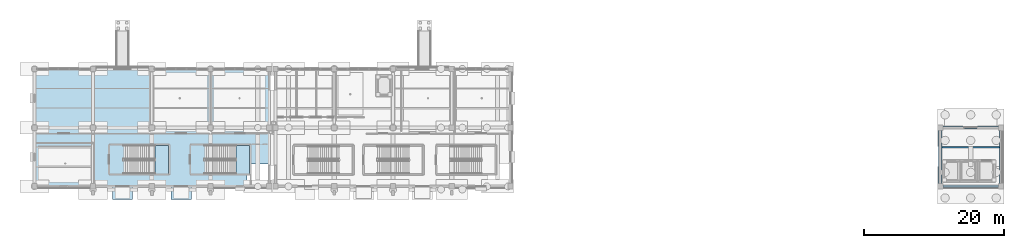
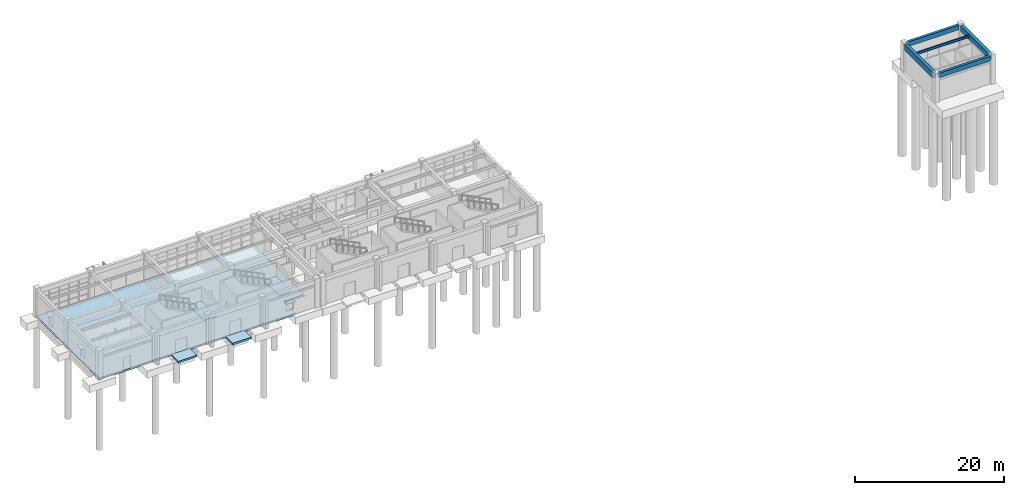
# One storey, part 14 of 29: 5 beams, 5 slabs, 2 elements without a shape of their own.
"""IFC4 building model written with IfcOpenShell, lengths in metres."""

from ifc_helpers import new_model, si_unit, direction, frame, origin, origin_2d, place, context, subcontext, project, spatial, polyline, rectangle, i_section, outline, extrude, material, layer, layer_set, material_profile, profile_set, type_object, element, aggregate, save


model = new_model("IFC4")

# Units and contexts
model_context = context("Model", 3, precision=1e-05, world=origin(), true_north=direction((0.0, 1.0)))
body_context = subcontext(model_context, "Body", "Model", "MODEL_VIEW")
ifc_project = project(units=[si_unit("LENGTHUNIT", "METRE"), si_unit("AREAUNIT", "SQUARE_METRE"), si_unit("VOLUMEUNIT", "CUBIC_METRE"), si_unit("PLANEANGLEUNIT", "RADIAN"), si_unit("MASSUNIT", "GRAM", prefix="KILO")], contexts=[model_context])

# Site, building, storey
site_placement = place(None, origin())
site = spatial("IfcSite", under=ifc_project, at=site_placement, CompositionType="ELEMENT")
building_placement = place(site_placement, origin())
building = spatial("IfcBuilding", under=site, at=building_placement, Name="Canglan Escarpment Cableway Terminal", CompositionType="ELEMENT")
storey_placement = place(building_placement, origin())
storey = spatial("IfcBuildingStorey", under=building, at=storey_placement, Name="L00", CompositionType="ELEMENT", Elevation=0.0)

# Beams
ifc_material_1 = material(Name="Concrete C50", Category="concrete")
ifc_material_profile_1 = material_profile(ifc_material_1, rectangle(XDim=0.5, YDim=0.949951171875, at=origin_2d()), Name="RC 500x950")
ifc_profile_set_1 = profile_set([ifc_material_profile_1], Name="Concrete C50")
beam_type_1 = type_object("IfcBeamType", Name="BM-RC500x950", PredefinedType="BEAM", material=ifc_profile_set_1)
for number, where, z_axis, x_axis, name in (
    (1, (137.60009765625, 8.375, 4.074951171875), (0.0, 1.0, 0.0), (-1.0, 0.0, 0.0), "Primary transverse girder B-01"),
    (2, (146.300048828125, 8.375, 4.074951171875), (0.0, 1.0, 0.0), (-1.0, 0.0, 0.0), "Primary transverse girder B-01"),
):
    element("IfcBeam", number, at=place(storey_placement, frame(where, z_axis=z_axis, x_axis=x_axis)), inside=storey, type_object=beam_type_1, Name=name, PredefinedType="BEAM", context=body_context, shape_type="SweptSolid", body=[
        extrude(rectangle(XDim=0.5, YDim=0.949951171875, at=origin_2d()), origin(), (0.0, 0.0, 1.0), 7.64990234375),
    ])
ifc_material_2 = material(Name="Steel Q355B", Category="steel")
ifc_material_profile_2 = material_profile(ifc_material_2, i_section(OverallWidth=0.199951171875, OverallDepth=0.39990234375, WebThickness=0.008056640625, FlangeThickness=0.012939453125, FilletRadius=0.01611328125, at=origin_2d()), Name="HN 400x200x8x13")
ifc_profile_set_2 = profile_set([ifc_material_profile_2], Name="Steel Q355B")
beam_type_2 = type_object("IfcBeamType", Name="JS-HN400", PredefinedType="JOIST", material=ifc_profile_set_2)
beam_placement = place(storey_placement, frame((137.85009765625, 13.60009765625, 4.35009765625), z_axis=(1.0, 0.0, 0.0), x_axis=(0.0, 1.0, 0.0)))
element("IfcBeam", 3, at=beam_placement, inside=storey, type_object=beam_type_2, Name="Secondary composite deck joist J-03", PredefinedType="JOIST", context=body_context, shape_type="SweptSolid", body=[
    extrude(i_section(OverallWidth=0.199951171875, OverallDepth=0.39990234375, WebThickness=0.008056640625, FlangeThickness=0.012939453125, FilletRadius=0.01611328125, at=origin_2d()), origin(), (0.0, 0.0, 1.0), 8.199951171875),
])
ifc_material_3 = material(Name="Concrete C40", Category="concrete")
ifc_material_profile_3 = material_profile(ifc_material_3, rectangle(XDim=0.39990234375, YDim=0.75, at=origin_2d()), Name="RC 400x750")
ifc_profile_set_3 = profile_set([ifc_material_profile_3], Name="Concrete C40")
beam_type_3 = type_object("IfcBeamType", Name="SP-RC400x750", PredefinedType="SPANDREL", material=ifc_profile_set_3)
for number, where, z_axis, x_axis, name in (
    (4, (137.97509765625, 8.0, 4.175048828125), (1.0, 0.0, 0.0), (0.0, 1.0, 0.0), "Primary structural girder SP-01"),
    (5, (137.97509765625, 16.39990234375, 4.175048828125), (1.0, 0.0, 0.0), (0.0, 1.0, 0.0), "Primary structural girder SP-01"),
):
    element("IfcBeam", number, at=place(storey_placement, frame(where, z_axis=z_axis, x_axis=x_axis)), inside=storey, type_object=beam_type_3, Name=name, PredefinedType="SPANDREL", context=body_context, shape_type="SweptSolid", body=[
        extrude(rectangle(XDim=0.39990234375, YDim=0.75, at=origin_2d()), origin(), (0.0, 0.0, 1.0), 7.949951171875),
    ])

# Slabs
ifc_layer_1 = layer(ifc_material_3, 0.280029296875, Name="Concrete C40")
ifc_layer_set_1 = layer_set([ifc_layer_1], Name="Concrete C40")
slab_type_1 = type_object("IfcSlabType", Name="SLB-BASE-280", PredefinedType="BASESLAB", material=ifc_layer_set_1)
slab_1_placement = place(storey_placement, frame((0.0, 0.0, -0.280029296875)))
element("IfcSlab", 6, at=slab_1_placement, inside=storey, type_object=slab_type_1, Name="Stair discharge exterior exit threshold apron SB-03", PredefinedType="BASESLAB", context=body_context, shape_type="SweptSolid", body=[
    extrude(outline(polyline([(19.14990234375, 6.10009765625), (22.050048828125, 6.10009765625), (22.050048828125, 8.0), (19.14990234375, 8.0), (19.14990234375, 6.10009765625)])), origin(), (0.0, 0.0, 1.0), 0.280029296875),
])
slab_2_placement = place(storey_placement, frame((0.0, 0.0, -0.280029296875)))
element("IfcSlab", 7, at=slab_2_placement, inside=storey, type_object=slab_type_1, Name="Stair discharge exterior exit threshold apron SB-03", PredefinedType="BASESLAB", context=body_context, shape_type="SweptSolid", body=[
    extrude(outline(polyline([(27.550048828125, 6.10009765625), (30.449951171875, 6.10009765625), (30.449951171875, 8.0), (27.550048828125, 8.0), (27.550048828125, 6.10009765625)])), origin(), (0.0, 0.0, 1.0), 0.280029296875),
])
ifc_layer_2 = layer(ifc_material_3, 0.300048828125, Name="Concrete C40")
ifc_layer_set_2 = layer_set([ifc_layer_2], Name="Concrete C40")
slab_type_2 = type_object("IfcSlabType", Name="SLB-BASE-300", PredefinedType="BASESLAB", material=ifc_layer_set_2)
slab_3_placement = place(storey_placement, frame((0.0, 0.0, -0.300048828125)))
element("IfcSlab", 8, at=slab_3_placement, inside=storey, type_object=slab_type_2, Name="Reinforced concrete base slab SB-01", PredefinedType="BASESLAB", context=body_context, shape_type="SweptSolid", body=[
    extrude(outline(polyline([(8.0, 8.0), (38.39990234375, 8.0), (38.39990234375, 11.199951171875), (41.60009765625, 11.199951171875), (41.60009765625, 24.800048828125), (8.0, 24.800048828125), (8.0, 8.0)])), origin(), (0.0, 0.0, 1.0), 0.300048828125),
])

# Stair, slab
stair_type = type_object("IfcStairType", Name="STR-DOGLEG-1950", PredefinedType="HALF_TURN_STAIR", material=ifc_material_3)
stair_1_placement = place(storey_placement, origin())
stair_1 = element("IfcStair", 9, at=stair_1_placement, inside=storey, type_object=stair_type, Name="L00 Protected Exit Stair ST-01", PredefinedType="HALF_TURN_STAIR")
ifc_layer_3 = layer(ifc_material_3, 0.199951171875, Name="Concrete C40")
ifc_layer_set_3 = layer_set([ifc_layer_3], Name="Concrete C40")
slab_type_3 = type_object("IfcSlabType", Name="SLB-STAIR-LAND-200", PredefinedType="LANDING", material=ifc_layer_set_3)
slab_4_placement = place(storey_placement, frame((0.0, 0.0, 2.199951171875)))
slab_4 = element("IfcSlab", 10, at=slab_4_placement, type_object=slab_type_3, Name="ST-01 landing 1", PredefinedType="LANDING", context=body_context, shape_type="SweptSolid", body=[
    extrude(outline(polyline([(25.25, 9.800048828125), (27.199951171875, 9.800048828125), (27.199951171875, 13.85009765625), (25.25, 13.85009765625), (25.25, 9.800048828125)])), origin(), (0.0, 0.0, 1.0), 0.199951171875),
])
aggregate(stair_1, [slab_4])

stair_2_placement = place(storey_placement, origin())
stair_2 = element("IfcStair", 11, at=stair_2_placement, inside=storey, type_object=stair_type, Name="L00 Protected Exit Stair ST-02", PredefinedType="HALF_TURN_STAIR")
slab_5_placement = place(storey_placement, frame((0.0, 0.0, 2.199951171875)))
slab_5 = element("IfcSlab", 12, at=slab_5_placement, type_object=slab_type_3, Name="ST-02 landing 1", PredefinedType="LANDING", context=body_context, shape_type="SweptSolid", body=[
    extrude(outline(polyline([(36.85009765625, 9.800048828125), (38.800048828125, 9.800048828125), (38.800048828125, 13.85009765625), (36.85009765625, 13.85009765625), (36.85009765625, 9.800048828125)])), origin(), (0.0, 0.0, 1.0), 0.199951171875),
])
aggregate(stair_2, [slab_5])

save(model, "model.ifc")
